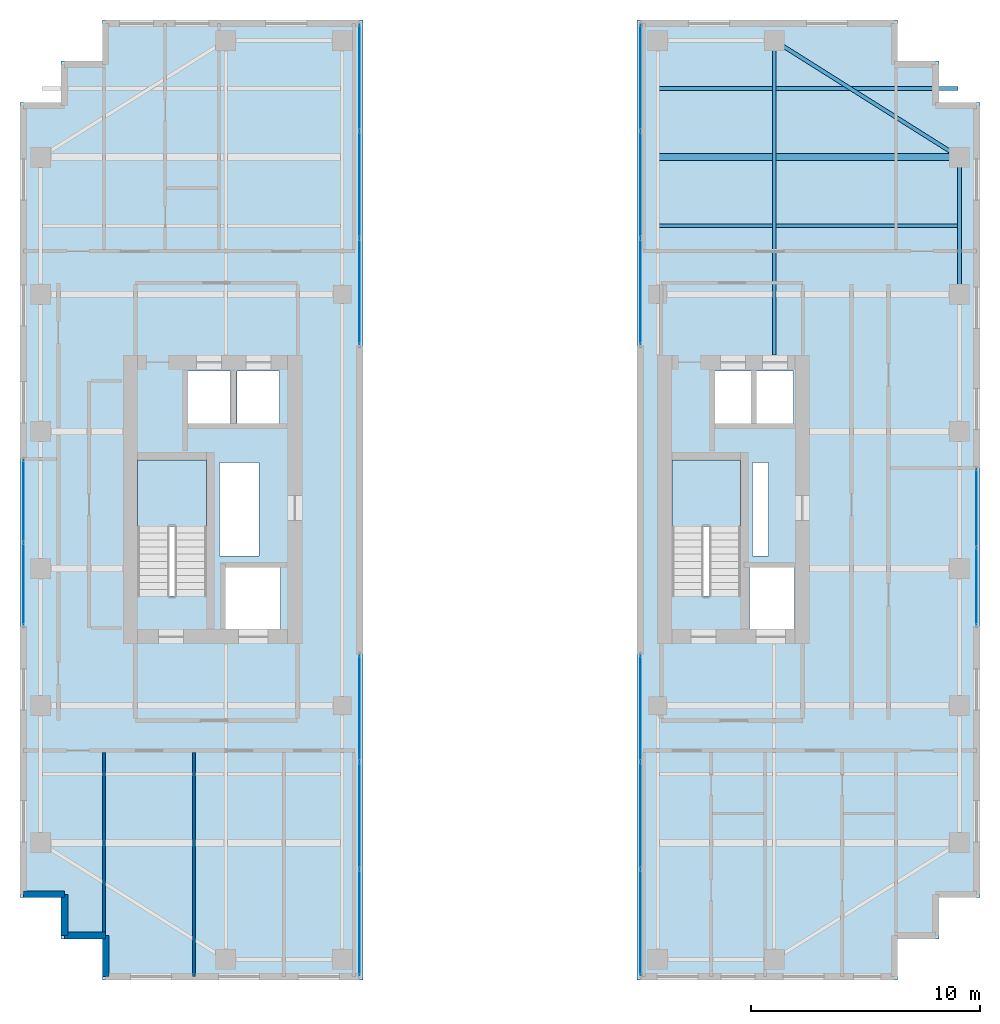
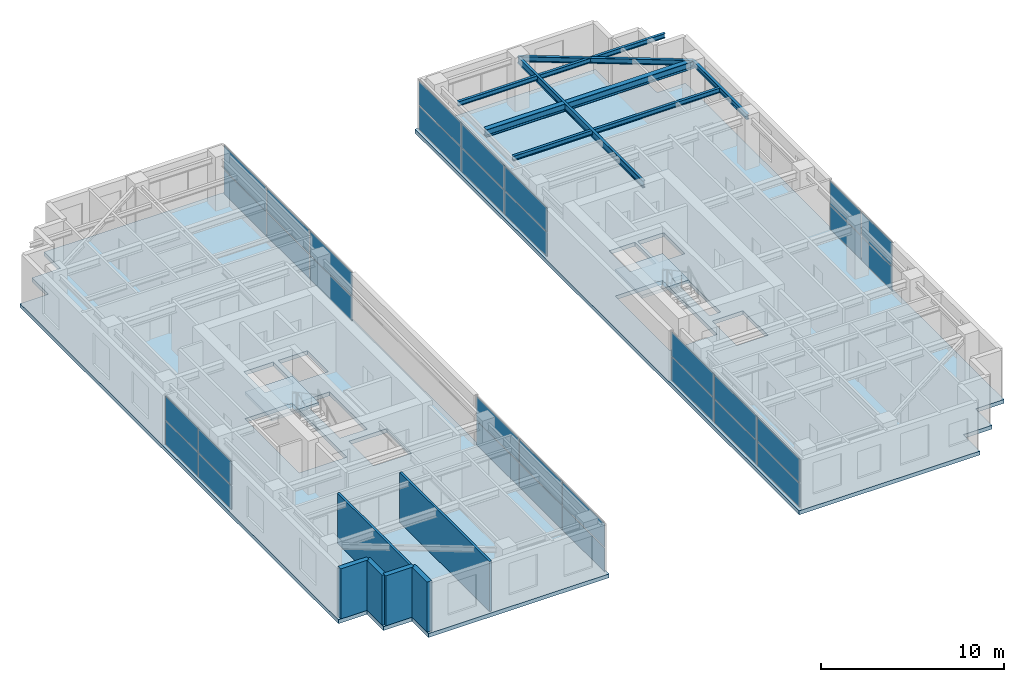
# One storey, part 15 of 20: 32 plates, 6 beams, 6 walls, 4 slabs, 8 elements without a shape of their own.
"""IFC4 building model written with IfcOpenShell, lengths in metres."""

from ifc_helpers import new_model, si_unit, direction, frame, frame_2d, origin, origin_2d, place, context, subcontext, project, spatial, polyline, rectangle, i_section, outline, extrude, source, transform, mapped, material, layer, layer_set, material_profile, profile_set, type_object, element, aggregate, save


model = new_model("IFC4")

# Units and contexts
model_context = context("Model", 3, precision=1e-05, world=origin(), true_north=direction((0.0, 1.0)))
body_context = subcontext(model_context, "Body", "Model", "MODEL_VIEW")
ifc_project = project(units=[si_unit("LENGTHUNIT", "METRE"), si_unit("AREAUNIT", "SQUARE_METRE"), si_unit("VOLUMEUNIT", "CUBIC_METRE"), si_unit("PLANEANGLEUNIT", "RADIAN"), si_unit("MASSUNIT", "GRAM", prefix="KILO")], contexts=[model_context])

# Site, building, storey
site_placement = place(None, origin())
site = spatial("IfcSite", under=ifc_project, at=site_placement, CompositionType="ELEMENT")
building_placement = place(site_placement, origin())
building = spatial("IfcBuilding", under=site, at=building_placement, Name="Khoralis Quay Care Tower", CompositionType="ELEMENT")
storey_placement = place(building_placement, frame((0.0, 0.0, 198.89990234375)))
storey = spatial("IfcBuildingStorey", under=building, at=storey_placement, Name="L52", CompositionType="ELEMENT", Elevation=198.89990234375)

# Beams
ifc_material_1 = material(Name="Steel S355", Category="steel")
ifc_material_profile_1 = material_profile(ifc_material_1, i_section(OverallWidth=0.169921875, OverallDepth=0.360107421875, WebThickness=0.008056640625, FlangeThickness=0.0126953125, FilletRadius=0.01806640625, at=origin_2d()), Name="Steel S355")
ifc_profile_set_1 = profile_set([ifc_material_profile_1], Name="Steel S355")
beam_type_1 = type_object("IfcBeamType", Name="BM-IPE360", PredefinedType="SPANDREL", material=ifc_profile_set_1)
shared_shape_1 = source(origin(), body_context, "Body", "SweptSolid", [
    extrude(i_section(OverallWidth=0.169921875, OverallDepth=0.360107421875, WebThickness=0.008056640625, FlangeThickness=0.0126953125, FilletRadius=0.01806640625, at=origin_2d()), origin(), (0.0, 0.0, 1.0), 6.0),
])
beam_1_placement = place(storey_placement, frame((44.10009765625, 30.0, 3.16015625), z_axis=(0.0, 1.0, 0.0), x_axis=(-1.0, 0.0, 0.0)))
element("IfcBeam", 1, at=beam_1_placement, inside=storey, type_object=beam_type_1, Name="BM-TSP-L52-14", PredefinedType="SPANDREL", context=body_context, shape_type="MappedRepresentation", body=[
    mapped(shared_shape_1, transform((0.0, 0.0, 0.0), scale=1.0)),
])
shared_shape_2 = source(origin(), body_context, "Body", "SweptSolid", [
    extrude(i_section(OverallWidth=0.169921875, OverallDepth=0.360107421875, WebThickness=0.008056640625, FlangeThickness=0.0126953125, FilletRadius=0.01806640625, at=origin_2d()), origin(), (0.0, 0.0, 1.0), 9.572021484375),
])
beam_2_placement = place(storey_placement, frame((36.0, 41.10009765625, 3.16015625), z_axis=(0.846231136359, -0.532815975602, 0.0), x_axis=(0.532815975602, 0.846231136359, 0.0)))
element("IfcBeam", 2, at=beam_2_placement, inside=storey, type_object=beam_type_1, Name="BM-TCR-L52-18", PredefinedType="SPANDREL", context=body_context, shape_type="MappedRepresentation", body=[
    mapped(shared_shape_2, transform((0.0, 0.0, 0.0), scale=1.0)),
])
ifc_material_profile_2 = material_profile(ifc_material_1, i_section(OverallWidth=0.300048828125, OverallDepth=0.5, WebThickness=0.014404296875, FlangeThickness=0.028076171875, FilletRadius=0.027099609375, at=origin_2d()), Name="Steel S355")
ifc_profile_set_2 = profile_set([ifc_material_profile_2], Name="Steel S355")
beam_type_2 = type_object("IfcBeamType", Name="BM-HEB500", PredefinedType="BEAM", material=ifc_profile_set_2)
shared_shape_3 = source(origin(), body_context, "Body", "SweptSolid", [
    extrude(i_section(OverallWidth=0.300048828125, OverallDepth=0.5, WebThickness=0.014404296875, FlangeThickness=0.028076171875, FilletRadius=0.027099609375, at=origin_2d()), origin(), (0.0, 0.0, 1.0), 13.135009765625),
])
beam_3_placement = place(storey_placement, frame((30.965087890625, 36.0, 3.090087890625), z_axis=(1.0, 0.0, 0.0), x_axis=(0.0, 1.0, 0.0)))
element("IfcBeam", 3, at=beam_3_placement, inside=storey, type_object=beam_type_2, Name="BM-TGXE-L52-360", PredefinedType="BEAM", context=body_context, shape_type="MappedRepresentation", body=[
    mapped(shared_shape_3, transform((0.0, 0.0, 0.0), scale=1.0)),
])
ifc_material_profile_3 = material_profile(ifc_material_1, i_section(OverallWidth=0.154052734375, OverallDepth=0.458984375, WebThickness=0.009033203125, FlangeThickness=0.015380859375, FilletRadius=0.014892578125, at=origin_2d()), Name="Steel S355")
ifc_profile_set_3 = profile_set([ifc_material_profile_3], Name="Steel S355")
beam_type_3 = type_object("IfcBeamType", Name="BM-W460X68", PredefinedType="BEAM", material=ifc_profile_set_3)
shared_shape_4 = source(origin(), body_context, "Body", "SweptSolid", [
    extrude(i_section(OverallWidth=0.154052734375, OverallDepth=0.458984375, WebThickness=0.009033203125, FlangeThickness=0.015380859375, FilletRadius=0.014892578125, at=origin_2d()), origin(), (0.0, 0.0, 1.0), 13.752197265625),
])
beam_4_placement = place(storey_placement, frame((36.0, 27.347900390625, 3.110595703125), z_axis=(0.0, 1.0, 0.0), x_axis=(-1.0, 0.0, 0.0)))
element("IfcBeam", 4, at=beam_4_placement, inside=storey, type_object=beam_type_3, Name="BM-TGYN-L52-360", PredefinedType="BEAM", context=body_context, shape_type="MappedRepresentation", body=[
    mapped(shared_shape_4, transform((0.0, 0.0, 0.0), scale=1.0)),
])
ifc_material_profile_4 = material_profile(ifc_material_1, i_section(OverallWidth=0.1650390625, OverallDepth=0.31005859375, WebThickness=0.005859375, FlangeThickness=0.009765625, FilletRadius=0.011962890625, at=origin_2d()), Name="Steel S355")
ifc_profile_set_4 = profile_set([ifc_material_profile_4], Name="Steel S355")
beam_type_4 = type_object("IfcBeamType", Name="BM-W310X39", PredefinedType="JOIST", material=ifc_profile_set_4)
shared_shape_5 = source(origin(), body_context, "Body", "SweptSolid", [
    extrude(i_section(OverallWidth=0.1650390625, OverallDepth=0.31005859375, WebThickness=0.005859375, FlangeThickness=0.009765625, FilletRadius=0.011962890625, at=origin_2d()), origin(), (0.0, 0.0, 1.0), 13.06396484375),
])
for number, where, z_axis, x_axis, name in (
    (5, (30.965087890625, 33.0, 3.18505859375), (1.0, 0.0, 0.0), (0.0, 1.0, 0.0), "BM-TJS-L52-22"),
    (6, (30.965087890625, 39.0, 3.18505859375), (1.0, 0.0, 0.0), (0.0, 1.0, 0.0), "BM-TJS-L52-24"),
):
    element("IfcBeam", number, at=place(storey_placement, frame(where, z_axis=z_axis, x_axis=x_axis)), inside=storey, type_object=beam_type_4, Name=name, PredefinedType="JOIST", context=body_context, shape_type="MappedRepresentation", body=[
        mapped(shared_shape_5, transform((0.0, 0.0, 0.0), scale=1.0)),
    ])

# Stair, slab
ifc_material_2 = material(Name="Precast concrete C45/55", Category="concrete")
stair_type = type_object("IfcStairType", Name="ST-TWR-DOGLEG-1400", PredefinedType="HALF_TURN_STAIR", material=ifc_material_2)
stair_1_placement = place(storey_placement, origin())
stair_1 = element("IfcStair", 7, at=stair_1_placement, inside=storey, type_object=stair_type, Name="L52 West Core Exit Stair ST-T1", PredefinedType="HALF_TURN_STAIR")
ifc_layer_1 = layer(ifc_material_2, 0.199951171875)
ifc_layer_set_1 = layer_set([ifc_layer_1], Name="Precast concrete C45/55")
slab_type_1 = type_object("IfcSlabType", Name="SLB-LANDING-200", PredefinedType="LANDING", material=ifc_layer_set_1)
slab_1_placement = place(storey_placement, frame((0.0, 0.0, 1.60009765625)))
slab_1 = element("IfcSlab", 8, at=slab_1_placement, type_object=slab_type_1, Name="ST-T1 landing 1", PredefinedType="LANDING", context=body_context, shape_type="SweptSolid", body=[
    extrude(outline(polyline([(11.14990234375, 19.840087890625), (11.14990234375, 22.75), (8.14990234375, 22.75), (8.14990234375, 19.840087890625), (11.14990234375, 19.840087890625)])), origin(), (0.0, 0.0, 1.0), 0.199951171875),
])
aggregate(stair_1, [slab_1])

stair_2_placement = place(storey_placement, origin())
stair_2 = element("IfcStair", 9, at=stair_2_placement, inside=storey, type_object=stair_type, Name="L52 East Core Exit Stair ST-T2", PredefinedType="HALF_TURN_STAIR")
slab_2_placement = place(storey_placement, frame((0.0, 0.0, 1.60009765625)))
slab_2 = element("IfcSlab", 10, at=slab_2_placement, type_object=slab_type_1, Name="ST-T2 landing 1", PredefinedType="LANDING", context=body_context, shape_type="SweptSolid", body=[
    extrude(outline(polyline([(34.52001953125, 19.840087890625), (34.52001953125, 22.75), (31.52001953125, 22.75), (31.52001953125, 19.840087890625), (34.52001953125, 19.840087890625)])), origin(), (0.0, 0.0, 1.0), 0.199951171875),
])
aggregate(stair_2, [slab_2])

# Slabs
ifc_material_3 = material(Name="Concrete C40/50", Category="concrete")
ifc_layer_2 = layer(ifc_material_3, 0.260009765625)
ifc_layer_set_2 = layer_set([ifc_layer_2], Name="Concrete C40/50")
slab_type_2 = type_object("IfcSlabType", Name="SLB-TWR-260", PredefinedType="FLOOR", material=ifc_layer_set_2)
slab_3_placement = place(storey_placement, frame((0.0, 0.0, -0.260009765625)))
element("IfcSlab", 11, at=slab_3_placement, inside=storey, type_object=slab_type_2, Name="Tower Wing 1 Slab L52", PredefinedType="FLOOR", context=body_context, shape_type="SweptSolid", body=[
    extrude(outline(polyline([(6.60009765625, 0.0), (18.0, 0.0), (18.0, 42.0), (6.60009765625, 42.0), (6.60009765625, 40.199951171875), (4.800048828125, 40.199951171875), (4.800048828125, 38.39990234375), (3.0, 38.39990234375), (3.0, 3.60009765625), (4.800048828125, 3.60009765625), (4.800048828125, 1.800048828125), (6.60009765625, 1.800048828125), (6.60009765625, 0.0)]), holes=[polyline([(11.14990234375, 16.800048828125), (11.14990234375, 22.75), (8.14990234375, 22.75), (8.14990234375, 16.800048828125), (11.14990234375, 16.800048828125)]), polyline([(12.0, 15.35009765625), (14.39990234375, 15.35009765625), (14.39990234375, 18.050048828125), (12.0, 18.050048828125), (12.0, 15.35009765625)]), polyline([(10.35009765625, 24.35009765625), (12.199951171875, 24.35009765625), (12.199951171875, 26.64990234375), (10.35009765625, 26.64990234375), (10.35009765625, 24.35009765625)]), polyline([(12.5, 24.35009765625), (14.35009765625, 24.35009765625), (14.35009765625, 26.64990234375), (12.5, 26.64990234375), (12.5, 24.35009765625)]), polyline([(11.719970703125, 18.550048828125), (13.449951171875, 18.550048828125), (13.449951171875, 22.64990234375), (11.719970703125, 22.64990234375), (11.719970703125, 18.550048828125)])]), origin(), (0.0, 0.0, 1.0), 0.260009765625),
])
slab_4_placement = place(storey_placement, frame((0.0, 0.0, -0.260009765625)))
element("IfcSlab", 12, at=slab_4_placement, inside=storey, type_object=slab_type_2, Name="Tower Wing 2 Slab L52", PredefinedType="FLOOR", context=body_context, shape_type="SweptSolid", body=[
    extrude(outline(polyline([(30.0, 0.0), (41.39990234375, 0.0), (41.39990234375, 1.800048828125), (43.199951171875, 1.800048828125), (43.199951171875, 3.60009765625), (45.0, 3.60009765625), (45.0, 38.39990234375), (43.199951171875, 38.39990234375), (43.199951171875, 40.199951171875), (41.39990234375, 40.199951171875), (41.39990234375, 42.0), (30.0, 42.0), (30.0, 0.0)]), holes=[polyline([(34.52001953125, 16.800048828125), (34.52001953125, 22.75), (31.52001953125, 22.75), (31.52001953125, 16.800048828125), (34.52001953125, 16.800048828125)]), polyline([(34.919921875, 15.35009765625), (36.8798828125, 15.35009765625), (36.8798828125, 18.050048828125), (34.919921875, 18.050048828125), (34.919921875, 15.35009765625)]), polyline([(33.3798828125, 24.35009765625), (35.030029296875, 24.35009765625), (35.030029296875, 26.64990234375), (33.3798828125, 26.64990234375), (33.3798828125, 24.35009765625)]), polyline([(35.199951171875, 24.35009765625), (36.85009765625, 24.35009765625), (36.85009765625, 26.64990234375), (35.199951171875, 26.64990234375), (35.199951171875, 24.35009765625)]), polyline([(35.050048828125, 18.550048828125), (35.75, 18.550048828125), (35.75, 22.64990234375), (35.050048828125, 22.64990234375), (35.050048828125, 18.550048828125)])]), origin(), (0.0, 0.0, 1.0), 0.260009765625),
])

# Curtain wall, plates
ifc_material_4 = material(Name="Pale anodised aluminium", Category="aluminium")
ifc_layer_3 = layer(ifc_material_4, 0.18994140625)
ifc_layer_set_3 = layer_set([ifc_layer_3], Name="Pale anodised aluminium")
curtain_wall_type_1 = type_object("IfcCurtainWallType", Name="CW-SYS-PORTAL", PredefinedType="NOTDEFINED", material=ifc_layer_set_3)
curtain_wall_1_placement = place(storey_placement, origin())
curtain_wall_1 = element("IfcCurtainWall", 13, at=curtain_wall_1_placement, inside=storey, type_object=curtain_wall_type_1, Name="L52 Unitised Curtain Wall CW-VP-L52-P1-S", PredefinedType="NOTDEFINED")
ifc_material_5 = material(Name="Low-E solar-control double glazing", Category="glass")
ifc_layer_4 = layer(ifc_material_5, 0.031982421875)
ifc_layer_set_4 = layer_set([ifc_layer_4], Name="Low-E solar-control double glazing")
plate_type = type_object("IfcPlateType", Name="PNL-VIS-32", PredefinedType="CURTAIN_PANEL", material=ifc_layer_set_4)
shared_shape_6 = source(origin(), body_context, "Body", "SweptSolid", [
    extrude(rectangle(XDim=4.610107421875, YDim=0.028076171875, at=origin_2d()), origin(), (0.0, 0.0, 1.0), 1.580078125),
])
plate_1_placement = place(storey_placement, frame((17.85009765625, 2.514892578125, 0.06005859375), z_axis=(0.0, 0.0, 1.0), x_axis=(0.0, 1.0, 0.0)))
plate_1 = element("IfcPlate", 14, at=plate_1_placement, type_object=plate_type, Name="CW4 panel 1.1", PredefinedType="CURTAIN_PANEL", context=body_context, shape_type="MappedRepresentation", body=[
    mapped(shared_shape_6, transform((0.0, 0.0, 0.0), scale=1.0)),
])
plate_2_placement = place(storey_placement, frame((17.85009765625, 2.514892578125, 1.699951171875), z_axis=(0.0, 0.0, 1.0), x_axis=(0.0, 1.0, 0.0)))
plate_2 = element("IfcPlate", 15, at=plate_2_placement, type_object=plate_type, Name="CW4 panel 1.2", PredefinedType="CURTAIN_PANEL", context=body_context, shape_type="MappedRepresentation", body=[
    mapped(shared_shape_6, transform((0.0, 0.0, 0.0), scale=1.0)),
])
plate_3_placement = place(storey_placement, frame((17.85009765625, 11.885009765625, 0.06005859375), z_axis=(0.0, 0.0, 1.0), x_axis=(0.0, 1.0, 0.0)))
plate_3 = element("IfcPlate", 16, at=plate_3_placement, type_object=plate_type, Name="CW4 panel 3.1", PredefinedType="CURTAIN_PANEL", context=body_context, shape_type="MappedRepresentation", body=[
    mapped(shared_shape_6, transform((0.0, 0.0, 0.0), scale=1.0)),
])
plate_4_placement = place(storey_placement, frame((17.85009765625, 11.885009765625, 1.699951171875), z_axis=(0.0, 0.0, 1.0), x_axis=(0.0, 1.0, 0.0)))
plate_4 = element("IfcPlate", 17, at=plate_4_placement, type_object=plate_type, Name="CW4 panel 3.2", PredefinedType="CURTAIN_PANEL", context=body_context, shape_type="MappedRepresentation", body=[
    mapped(shared_shape_6, transform((0.0, 0.0, 0.0), scale=1.0)),
])

curtain_wall_2_placement = place(storey_placement, origin())
curtain_wall_2 = element("IfcCurtainWall", 18, at=curtain_wall_2_placement, inside=storey, type_object=curtain_wall_type_1, Name="L52 Unitised Curtain Wall CW-VP-L52-P1-N", PredefinedType="NOTDEFINED")
plate_5_placement = place(storey_placement, frame((17.85009765625, 30.114990234375, 0.06005859375), z_axis=(0.0, 0.0, 1.0), x_axis=(0.0, 1.0, 0.0)))
plate_5 = element("IfcPlate", 19, at=plate_5_placement, type_object=plate_type, Name="CW4 panel 1.1", PredefinedType="CURTAIN_PANEL", context=body_context, shape_type="MappedRepresentation", body=[
    mapped(shared_shape_6, transform((0.0, 0.0, 0.0), scale=1.0)),
])
plate_6_placement = place(storey_placement, frame((17.85009765625, 30.114990234375, 1.699951171875), z_axis=(0.0, 0.0, 1.0), x_axis=(0.0, 1.0, 0.0)))
plate_6 = element("IfcPlate", 20, at=plate_6_placement, type_object=plate_type, Name="CW4 panel 1.2", PredefinedType="CURTAIN_PANEL", context=body_context, shape_type="MappedRepresentation", body=[
    mapped(shared_shape_6, transform((0.0, 0.0, 0.0), scale=1.0)),
])
plate_7_placement = place(storey_placement, frame((17.85009765625, 39.485107421875, 0.06005859375), z_axis=(0.0, 0.0, 1.0), x_axis=(0.0, 1.0, 0.0)))
plate_7 = element("IfcPlate", 21, at=plate_7_placement, type_object=plate_type, Name="CW4 panel 3.1", PredefinedType="CURTAIN_PANEL", context=body_context, shape_type="MappedRepresentation", body=[
    mapped(shared_shape_6, transform((0.0, 0.0, 0.0), scale=1.0)),
])
plate_8_placement = place(storey_placement, frame((17.85009765625, 39.485107421875, 1.699951171875), z_axis=(0.0, 0.0, 1.0), x_axis=(0.0, 1.0, 0.0)))
plate_8 = element("IfcPlate", 22, at=plate_8_placement, type_object=plate_type, Name="CW4 panel 3.2", PredefinedType="CURTAIN_PANEL", context=body_context, shape_type="MappedRepresentation", body=[
    mapped(shared_shape_6, transform((0.0, 0.0, 0.0), scale=1.0)),
])

curtain_wall_3_placement = place(storey_placement, origin())
curtain_wall_3 = element("IfcCurtainWall", 23, at=curtain_wall_3_placement, inside=storey, type_object=curtain_wall_type_1, Name="L52 Unitised Curtain Wall CW-VP-L52-P2-S", PredefinedType="NOTDEFINED")
plate_9_placement = place(storey_placement, frame((30.14990234375, 2.514892578125, 0.06005859375), z_axis=(0.0, 0.0, 1.0), x_axis=(0.0, 1.0, 0.0)))
plate_9 = element("IfcPlate", 24, at=plate_9_placement, type_object=plate_type, Name="CW4 panel 1.1", PredefinedType="CURTAIN_PANEL", context=body_context, shape_type="MappedRepresentation", body=[
    mapped(shared_shape_6, transform((0.0, 0.0, 0.0), scale=1.0)),
])
plate_10_placement = place(storey_placement, frame((30.14990234375, 2.514892578125, 1.699951171875), z_axis=(0.0, 0.0, 1.0), x_axis=(0.0, 1.0, 0.0)))
plate_10 = element("IfcPlate", 25, at=plate_10_placement, type_object=plate_type, Name="CW4 panel 1.2", PredefinedType="CURTAIN_PANEL", context=body_context, shape_type="MappedRepresentation", body=[
    mapped(shared_shape_6, transform((0.0, 0.0, 0.0), scale=1.0)),
])
plate_11_placement = place(storey_placement, frame((30.14990234375, 11.885009765625, 0.06005859375), z_axis=(0.0, 0.0, 1.0), x_axis=(0.0, 1.0, 0.0)))
plate_11 = element("IfcPlate", 26, at=plate_11_placement, type_object=plate_type, Name="CW4 panel 3.1", PredefinedType="CURTAIN_PANEL", context=body_context, shape_type="MappedRepresentation", body=[
    mapped(shared_shape_6, transform((0.0, 0.0, 0.0), scale=1.0)),
])
plate_12_placement = place(storey_placement, frame((30.14990234375, 11.885009765625, 1.699951171875), z_axis=(0.0, 0.0, 1.0), x_axis=(0.0, 1.0, 0.0)))
plate_12 = element("IfcPlate", 27, at=plate_12_placement, type_object=plate_type, Name="CW4 panel 3.2", PredefinedType="CURTAIN_PANEL", context=body_context, shape_type="MappedRepresentation", body=[
    mapped(shared_shape_6, transform((0.0, 0.0, 0.0), scale=1.0)),
])

curtain_wall_4_placement = place(storey_placement, origin())
curtain_wall_4 = element("IfcCurtainWall", 28, at=curtain_wall_4_placement, inside=storey, type_object=curtain_wall_type_1, Name="L52 Unitised Curtain Wall CW-VP-L52-P2-N", PredefinedType="NOTDEFINED")
plate_13_placement = place(storey_placement, frame((30.14990234375, 30.114990234375, 0.06005859375), z_axis=(0.0, 0.0, 1.0), x_axis=(0.0, 1.0, 0.0)))
plate_13 = element("IfcPlate", 29, at=plate_13_placement, type_object=plate_type, Name="CW4 panel 1.1", PredefinedType="CURTAIN_PANEL", context=body_context, shape_type="MappedRepresentation", body=[
    mapped(shared_shape_6, transform((0.0, 0.0, 0.0), scale=1.0)),
])
plate_14_placement = place(storey_placement, frame((30.14990234375, 30.114990234375, 1.699951171875), z_axis=(0.0, 0.0, 1.0), x_axis=(0.0, 1.0, 0.0)))
plate_14 = element("IfcPlate", 30, at=plate_14_placement, type_object=plate_type, Name="CW4 panel 1.2", PredefinedType="CURTAIN_PANEL", context=body_context, shape_type="MappedRepresentation", body=[
    mapped(shared_shape_6, transform((0.0, 0.0, 0.0), scale=1.0)),
])
plate_15_placement = place(storey_placement, frame((30.14990234375, 39.485107421875, 0.06005859375), z_axis=(0.0, 0.0, 1.0), x_axis=(0.0, 1.0, 0.0)))
plate_15 = element("IfcPlate", 31, at=plate_15_placement, type_object=plate_type, Name="CW4 panel 3.1", PredefinedType="CURTAIN_PANEL", context=body_context, shape_type="MappedRepresentation", body=[
    mapped(shared_shape_6, transform((0.0, 0.0, 0.0), scale=1.0)),
])
plate_16_placement = place(storey_placement, frame((30.14990234375, 39.485107421875, 1.699951171875), z_axis=(0.0, 0.0, 1.0), x_axis=(0.0, 1.0, 0.0)))
plate_16 = element("IfcPlate", 32, at=plate_16_placement, type_object=plate_type, Name="CW4 panel 3.2", PredefinedType="CURTAIN_PANEL", context=body_context, shape_type="MappedRepresentation", body=[
    mapped(shared_shape_6, transform((0.0, 0.0, 0.0), scale=1.0)),
])

# Plate
shared_shape_7 = source(origin(), body_context, "Body", "SweptSolid", [
    extrude(rectangle(XDim=4.639892578125, YDim=0.028076171875, at=origin_2d()), origin(), (0.0, 0.0, 1.0), 1.580078125),
])
plate_17_placement = place(storey_placement, frame((17.85009765625, 7.199951171875, 0.06005859375), z_axis=(0.0, 0.0, 1.0), x_axis=(0.0, 1.0, 0.0)))
plate_17 = element("IfcPlate", 33, at=plate_17_placement, type_object=plate_type, Name="CW4 panel 2.1", PredefinedType="CURTAIN_PANEL", context=body_context, shape_type="MappedRepresentation", body=[
    mapped(shared_shape_7, transform((0.0, 0.0, 0.0), scale=1.0)),
])

plate_18_placement = place(storey_placement, frame((17.85009765625, 7.199951171875, 1.699951171875), z_axis=(0.0, 0.0, 1.0), x_axis=(0.0, 1.0, 0.0)))
plate_18 = element("IfcPlate", 34, at=plate_18_placement, type_object=plate_type, Name="CW4 panel 2.2", PredefinedType="CURTAIN_PANEL", context=body_context, shape_type="MappedRepresentation", body=[
    mapped(shared_shape_7, transform((0.0, 0.0, 0.0), scale=1.0)),
])

aggregate(curtain_wall_1, [plate_1, plate_2, plate_17, plate_18, plate_3, plate_4])

plate_19_placement = place(storey_placement, frame((17.85009765625, 34.800048828125, 0.06005859375), z_axis=(0.0, 0.0, 1.0), x_axis=(0.0, 1.0, 0.0)))
plate_19 = element("IfcPlate", 35, at=plate_19_placement, type_object=plate_type, Name="CW4 panel 2.1", PredefinedType="CURTAIN_PANEL", context=body_context, shape_type="MappedRepresentation", body=[
    mapped(shared_shape_7, transform((0.0, 0.0, 0.0), scale=1.0)),
])

plate_20_placement = place(storey_placement, frame((17.85009765625, 34.800048828125, 1.699951171875), z_axis=(0.0, 0.0, 1.0), x_axis=(0.0, 1.0, 0.0)))
plate_20 = element("IfcPlate", 36, at=plate_20_placement, type_object=plate_type, Name="CW4 panel 2.2", PredefinedType="CURTAIN_PANEL", context=body_context, shape_type="MappedRepresentation", body=[
    mapped(shared_shape_7, transform((0.0, 0.0, 0.0), scale=1.0)),
])

aggregate(curtain_wall_2, [plate_5, plate_6, plate_19, plate_20, plate_7, plate_8])

plate_21_placement = place(storey_placement, frame((30.14990234375, 7.199951171875, 0.06005859375), z_axis=(0.0, 0.0, 1.0), x_axis=(0.0, 1.0, 0.0)))
plate_21 = element("IfcPlate", 37, at=plate_21_placement, type_object=plate_type, Name="CW4 panel 2.1", PredefinedType="CURTAIN_PANEL", context=body_context, shape_type="MappedRepresentation", body=[
    mapped(shared_shape_7, transform((0.0, 0.0, 0.0), scale=1.0)),
])

plate_22_placement = place(storey_placement, frame((30.14990234375, 7.199951171875, 1.699951171875), z_axis=(0.0, 0.0, 1.0), x_axis=(0.0, 1.0, 0.0)))
plate_22 = element("IfcPlate", 38, at=plate_22_placement, type_object=plate_type, Name="CW4 panel 2.2", PredefinedType="CURTAIN_PANEL", context=body_context, shape_type="MappedRepresentation", body=[
    mapped(shared_shape_7, transform((0.0, 0.0, 0.0), scale=1.0)),
])

aggregate(curtain_wall_3, [plate_9, plate_10, plate_21, plate_22, plate_11, plate_12])

plate_23_placement = place(storey_placement, frame((30.14990234375, 34.800048828125, 0.06005859375), z_axis=(0.0, 0.0, 1.0), x_axis=(0.0, 1.0, 0.0)))
plate_23 = element("IfcPlate", 39, at=plate_23_placement, type_object=plate_type, Name="CW4 panel 2.1", PredefinedType="CURTAIN_PANEL", context=body_context, shape_type="MappedRepresentation", body=[
    mapped(shared_shape_7, transform((0.0, 0.0, 0.0), scale=1.0)),
])

plate_24_placement = place(storey_placement, frame((30.14990234375, 34.800048828125, 1.699951171875), z_axis=(0.0, 0.0, 1.0), x_axis=(0.0, 1.0, 0.0)))
plate_24 = element("IfcPlate", 40, at=plate_24_placement, type_object=plate_type, Name="CW4 panel 2.2", PredefinedType="CURTAIN_PANEL", context=body_context, shape_type="MappedRepresentation", body=[
    mapped(shared_shape_7, transform((0.0, 0.0, 0.0), scale=1.0)),
])

aggregate(curtain_wall_4, [plate_13, plate_14, plate_23, plate_24, plate_15, plate_16])

# Curtain wall, plates
ifc_layer_5 = layer(ifc_material_4, 0.159912109375)
ifc_layer_set_5 = layer_set([ifc_layer_5], Name="Pale anodised aluminium")
curtain_wall_type_2 = type_object("IfcCurtainWallType", Name="CW-SYS-Z3", PredefinedType="NOTDEFINED", material=ifc_layer_set_5)
curtain_wall_5_placement = place(storey_placement, origin())
curtain_wall_5 = element("IfcCurtainWall", 41, at=curtain_wall_5_placement, inside=storey, type_object=curtain_wall_type_2, Name="L52 Unitised Curtain Wall CW-L52-P1-E7", PredefinedType="NOTDEFINED")
shared_shape_8 = source(origin(), body_context, "Body", "SweptSolid", [
    extrude(rectangle(XDim=3.570068359375, YDim=0.028076171875, at=origin_2d()), origin(), (0.0, 0.0, 1.0), 1.580078125),
])
plate_25_placement = place(storey_placement, frame((3.14990234375, 20.955078125, 0.06005859375), z_axis=(0.0, 0.0, 1.0), x_axis=(0.0, -1.0, 0.0)))
plate_25 = element("IfcPlate", 42, at=plate_25_placement, type_object=plate_type, Name="CW3 panel 1.1", PredefinedType="CURTAIN_PANEL", context=body_context, shape_type="MappedRepresentation", body=[
    mapped(shared_shape_8, transform((0.0, 0.0, 0.0), scale=1.0)),
])
plate_26_placement = place(storey_placement, frame((3.14990234375, 20.955078125, 1.699951171875), z_axis=(0.0, 0.0, 1.0), x_axis=(0.0, -1.0, 0.0)))
plate_26 = element("IfcPlate", 43, at=plate_26_placement, type_object=plate_type, Name="CW3 panel 1.2", PredefinedType="CURTAIN_PANEL", context=body_context, shape_type="MappedRepresentation", body=[
    mapped(shared_shape_8, transform((0.0, 0.0, 0.0), scale=1.0)),
])
plate_27_placement = place(storey_placement, frame((3.14990234375, 17.324951171875, 0.06005859375), z_axis=(0.0, 0.0, 1.0), x_axis=(0.0, -1.0, 0.0)))
plate_27 = element("IfcPlate", 44, at=plate_27_placement, type_object=plate_type, Name="CW3 panel 2.1", PredefinedType="CURTAIN_PANEL", context=body_context, shape_type="MappedRepresentation", body=[
    mapped(shared_shape_8, transform((0.0, 0.0, 0.0), scale=1.0)),
])
plate_28_placement = place(storey_placement, frame((3.14990234375, 17.324951171875, 1.699951171875), z_axis=(0.0, 0.0, 1.0), x_axis=(0.0, -1.0, 0.0)))
plate_28 = element("IfcPlate", 45, at=plate_28_placement, type_object=plate_type, Name="CW3 panel 2.2", PredefinedType="CURTAIN_PANEL", context=body_context, shape_type="MappedRepresentation", body=[
    mapped(shared_shape_8, transform((0.0, 0.0, 0.0), scale=1.0)),
])
aggregate(curtain_wall_5, [plate_25, plate_26, plate_27, plate_28])

curtain_wall_6_placement = place(storey_placement, origin())
curtain_wall_6 = element("IfcCurtainWall", 46, at=curtain_wall_6_placement, inside=storey, type_object=curtain_wall_type_2, Name="L52 Unitised Curtain Wall CW-L52-P2-E5", PredefinedType="NOTDEFINED")
shared_shape_9 = source(origin(), body_context, "Body", "SweptSolid", [
    extrude(rectangle(XDim=3.3701171875, YDim=0.028076171875, at=origin_2d()), origin(), (0.0, 0.0, 1.0), 1.580078125),
])
plate_29_placement = place(storey_placement, frame((44.85009765625, 17.22509765625, 0.06005859375), z_axis=(0.0, 0.0, 1.0), x_axis=(0.0, 1.0, 0.0)))
plate_29 = element("IfcPlate", 47, at=plate_29_placement, type_object=plate_type, Name="CW3 panel 1.1", PredefinedType="CURTAIN_PANEL", context=body_context, shape_type="MappedRepresentation", body=[
    mapped(shared_shape_9, transform((0.0, 0.0, 0.0), scale=1.0)),
])
plate_30_placement = place(storey_placement, frame((44.85009765625, 17.22509765625, 1.699951171875), z_axis=(0.0, 0.0, 1.0), x_axis=(0.0, 1.0, 0.0)))
plate_30 = element("IfcPlate", 48, at=plate_30_placement, type_object=plate_type, Name="CW3 panel 1.2", PredefinedType="CURTAIN_PANEL", context=body_context, shape_type="MappedRepresentation", body=[
    mapped(shared_shape_9, transform((0.0, 0.0, 0.0), scale=1.0)),
])
plate_31_placement = place(storey_placement, frame((44.85009765625, 20.655029296875, 0.06005859375), z_axis=(0.0, 0.0, 1.0), x_axis=(0.0, 1.0, 0.0)))
plate_31 = element("IfcPlate", 49, at=plate_31_placement, type_object=plate_type, Name="CW3 panel 2.1", PredefinedType="CURTAIN_PANEL", context=body_context, shape_type="MappedRepresentation", body=[
    mapped(shared_shape_9, transform((0.0, 0.0, 0.0), scale=1.0)),
])
plate_32_placement = place(storey_placement, frame((44.85009765625, 20.655029296875, 1.699951171875), z_axis=(0.0, 0.0, 1.0), x_axis=(0.0, 1.0, 0.0)))
plate_32 = element("IfcPlate", 50, at=plate_32_placement, type_object=plate_type, Name="CW3 panel 2.2", PredefinedType="CURTAIN_PANEL", context=body_context, shape_type="MappedRepresentation", body=[
    mapped(shared_shape_9, transform((0.0, 0.0, 0.0), scale=1.0)),
])
aggregate(curtain_wall_6, [plate_29, plate_30, plate_31, plate_32])

# Walls
ifc_layer_6 = layer(ifc_material_2, 0.300048828125)
ifc_layer_set_6 = layer_set([ifc_layer_6], Name="Precast concrete C45/55")
wall_type_1 = type_object("IfcWallType", Name="WL-EXT-REF-300", PredefinedType="SOLIDWALL", material=ifc_layer_set_6)
for number, where, z_axis, x_axis, name in (
    (51, (3.14990234375, 3.75, 0.0), (0.0, 0.0, 1.0), (1.0, 0.0, 0.0), "L52 External Facade Wall WL-EXT-L52-P1-C8"),
    (52, (4.949951171875, 3.75, 0.0), (0.0, 0.0, 1.0), (0.0, -1.0, 0.0), "L52 External Facade Wall WL-EXT-L52-P1-C9"),
    (53, (4.949951171875, 1.949951171875, 0.0), (0.0, 0.0, 1.0), (1.0, 0.0, 0.0), "L52 External Facade Wall WL-EXT-L52-P1-C10"),
    (54, (6.75, 1.949951171875, 0.0), (0.0, 0.0, 1.0), (0.0, -1.0, 0.0), "L52 External Facade Wall WL-EXT-L52-P1-C11"),
):
    element("IfcWall", number, at=place(storey_placement, frame(where, z_axis=z_axis, x_axis=x_axis)), inside=storey, type_object=wall_type_1, Name=name, PredefinedType="SOLIDWALL", context=body_context, shape_type="SweptSolid", body=[
        extrude(rectangle(XDim=1.800048828125, YDim=0.300048828125, at=frame_2d((0.89990234375, 0.0))), origin(), (0.0, 0.0, 1.0), 3.340087890625),
    ])
ifc_material_6 = material(Name="Gypsum plasterboard on acoustic metal stud")
ifc_layer_7 = layer(ifc_material_6, 0.139892578125)
ifc_layer_set_7 = layer_set([ifc_layer_7], Name="Gypsum plasterboard on acoustic metal stud")
wall_type_2 = type_object("IfcWallType", Name="WL-UNIT-140", PredefinedType="PARTITIONING", material=ifc_layer_set_7)
wall_1_placement = place(storey_placement, frame((6.679931640625, 1.945068359375, 0.0), z_axis=(0.0, 0.0, 1.0), x_axis=(0.0, 1.0, 0.0)))
element("IfcWall", 55, at=wall_1_placement, inside=storey, type_object=wall_type_2, Name="L52 WS Demising Wall 0", PredefinedType="PARTITIONING", context=body_context, shape_type="SweptSolid", body=[
    extrude(rectangle(XDim=8.017333984375, YDim=0.139892578125, at=frame_2d((4.0087890625, 0.0))), origin(), (0.0, 0.0, 1.0), 3.340087890625),
])
wall_2_placement = place(storey_placement, frame((10.610107421875, 0.14501953125, 0.0), z_axis=(0.0, 0.0, 1.0), x_axis=(0.0, 1.0, 0.0)))
element("IfcWall", 56, at=wall_2_placement, inside=storey, type_object=wall_type_2, Name="L52 WS Demising Wall 1", PredefinedType="PARTITIONING", context=body_context, shape_type="SweptSolid", body=[
    extrude(rectangle(XDim=9.8173828125, YDim=0.139892578125, at=frame_2d((4.90869140625, 0.0))), origin(), (0.0, 0.0, 1.0), 3.340087890625),
])

save(model, "model.ifc")
